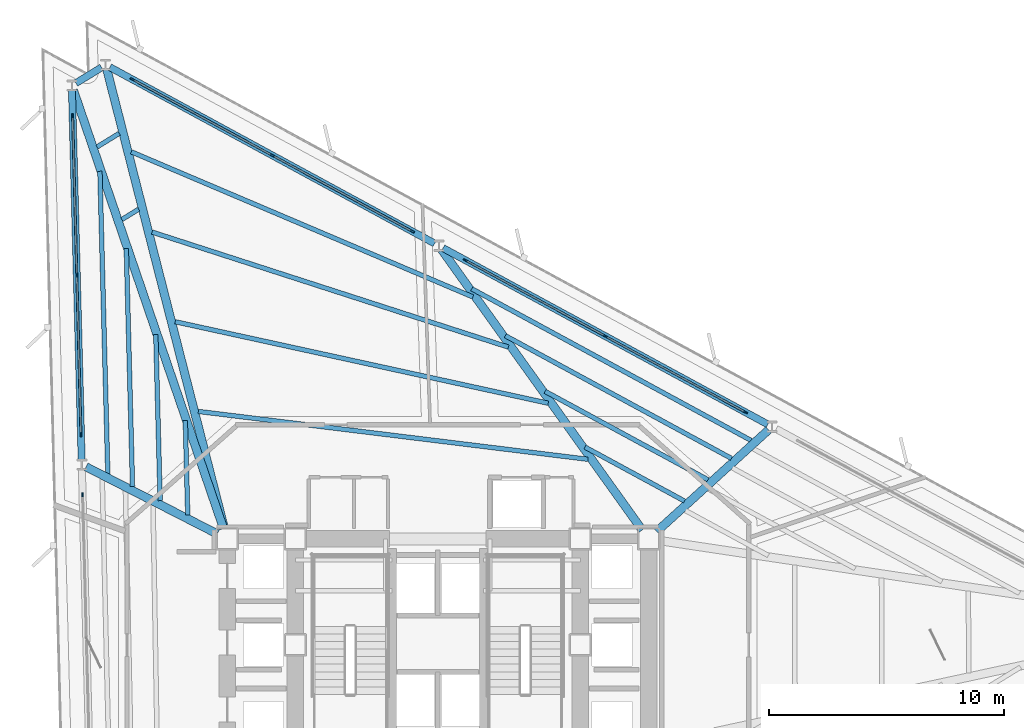
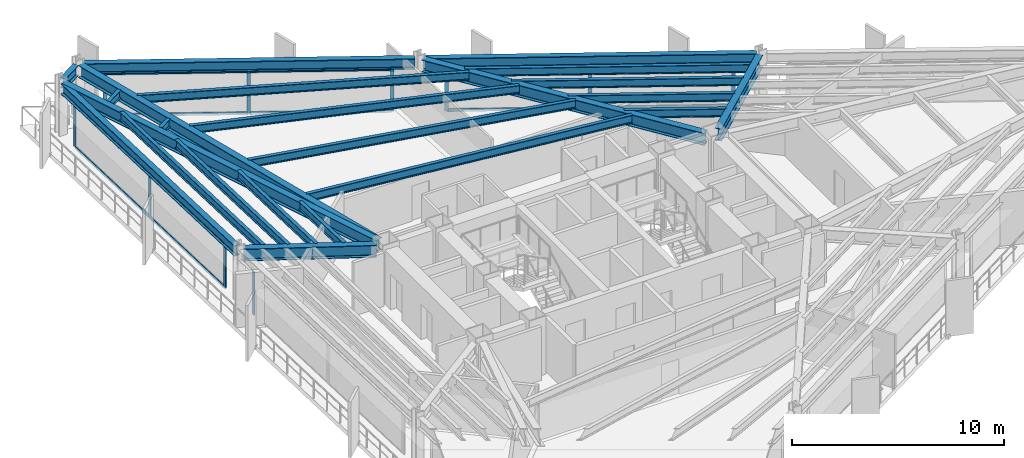
# One storey, part 5 of 14: 23 beams, 22 members, 4 elements without a shape of their own.
"""IFC4 building model written with IfcOpenShell, lengths in metres."""

import ifcopenshell
import ifcopenshell.guid

model = None  # the IFC model being written
_history = None  # IfcOwnerHistory: only IFC2X3 demands one
_inside = {}  # id of a spatial element -> (the spatial element, [elements in it])
_under = {}  # id of a project, library or spatial element -> (it, [spatial elements below it])
_declared = {}  # id of a project -> (the project, [libraries it declares])
_typed = {}  # id of a type object -> (the type object, [elements of that type])
_made_of = {}  # id of a material, layer set ... -> (it, [elements and type objects made of it])


def new_model(schema):
    """Start an empty IFC model of exactly this schema.

    Asked for "IFC4X3", IfcOpenShell would pick the latest addendum, in which some entities
    have other attributes; the version numbers below select the first issue.
    IFC2X3 requires an IfcOwnerHistory on every rooted entity: one is made here for all.
    """
    global model, _history
    if schema == "IFC4X3":
        model = ifcopenshell.file(schema_version=(4, 3, 0, 0))
    else:
        model = ifcopenshell.file(schema=schema)
    _inside.clear()
    _under.clear()
    _declared.clear()
    _typed.clear()
    _made_of.clear()
    _history = None
    if model.schema == "IFC2X3":
        org = make("IfcOrganization", Name="unknown")
        user = make(
            "IfcPersonAndOrganization",
            ThePerson=make("IfcPerson", FamilyName="unknown"),
            TheOrganization=org,
        )
        app = make(
            "IfcApplication",
            ApplicationDeveloper=org,
            Version="unknown",
            ApplicationFullName="unknown",
            ApplicationIdentifier="unknown",
        )
        _history = make(
            "IfcOwnerHistory",
            OwningUser=user,
            OwningApplication=app,
            ChangeAction="ADDED",
            CreationDate=0,
        )
    return model


def make(cls, **values):
    """One entity of the class cls with the attributes given. An attribute that is None is left unset."""
    return model.create_entity(
        cls, **{name: value for name, value in values.items() if value is not None}
    )


def rooted(cls, **values):
    """An entity with a GlobalId (a new one), such as an element, a storey or a relation."""
    return make(cls, GlobalId=ifcopenshell.guid.new(), OwnerHistory=_history, **values)


def si_unit(unit_type, name, prefix=None):
    """IfcSIUnit, for example si_unit("LENGTHUNIT", "METRE", prefix="MILLI")."""
    return make("IfcSIUnit", UnitType=unit_type, Prefix=prefix, Name=name)


def assignment(units):
    """IfcUnitAssignment: the units of a project."""
    return None if units is None else make("IfcUnitAssignment", Units=units)


def point(xyz):
    """IfcCartesianPoint."""
    return None if xyz is None else make("IfcCartesianPoint", Coordinates=xyz)


def direction(xyz):
    """IfcDirection."""
    return None if xyz is None else make("IfcDirection", DirectionRatios=xyz)


def frame(location, z_axis=None, x_axis=None):
    """IfcAxis2Placement3D, a coordinate frame: its origin and axes. An axis left out is left unset."""
    return make(
        "IfcAxis2Placement3D",
        Location=point(location),
        Axis=direction(z_axis),
        RefDirection=direction(x_axis),
    )


def frame_2d(location, x_axis=None):
    """IfcAxis2Placement2D, a coordinate frame in the plane: its origin and x axis."""
    return make(
        "IfcAxis2Placement2D", Location=point(location), RefDirection=direction(x_axis)
    )


def origin():
    """The frame at (0, 0, 0) with its axes left unset."""
    return frame((0.0, 0.0, 0.0))


def origin_2d():
    """The frame at (0, 0) in the plane with its x axis left unset."""
    return frame_2d((0.0, 0.0))


def place(relative_to, where):
    """IfcLocalPlacement: puts the frame where relative to a parent placement (None: the world)."""
    return make(
        "IfcLocalPlacement", PlacementRelTo=relative_to, RelativePlacement=where
    )


def context(
    kind, dimensions, precision=None, world=None, true_north=None, identifier=None
):
    """IfcGeometricRepresentationContext, for example the 3D "Model" context."""
    return make(
        "IfcGeometricRepresentationContext",
        ContextIdentifier=identifier,
        ContextType=kind,
        CoordinateSpaceDimension=dimensions,
        Precision=precision,
        WorldCoordinateSystem=world,
        TrueNorth=true_north,
    )


def subcontext(parent, identifier, kind, view, scale=None):
    """IfcGeometricRepresentationSubContext, for example "Body" below "Model"."""
    return make(
        "IfcGeometricRepresentationSubContext",
        ContextIdentifier=identifier,
        ContextType=kind,
        ParentContext=parent,
        TargetScale=scale,
        TargetView=view,
    )


def project(units=None, contexts=None):
    """IfcProject with its units and contexts."""
    return rooted(
        "IfcProject",
        Name="project",
        RepresentationContexts=contexts,
        UnitsInContext=assignment(units),
    )


def spatial(cls, under=None, at=None, **own):
    """A site, building, storey or space (cls), placed at a placement, below another one or the project."""
    s = rooted(cls, ObjectPlacement=at, **own)
    if under is not None:
        _under.setdefault(under.id(), (under, []))[1].append(s)
    return s


def profile(cls, at=None, kind="AREA", **sizes):
    """A parametric profile (cls). Its sizes go by their IFC names, for example OverallWidth=200.0."""
    return make(cls, ProfileType=kind, Position=at, **sizes)


def rectangle(**sizes):
    """IfcRectangleProfileDef."""
    return profile("IfcRectangleProfileDef", **sizes)


def i_section(**sizes):
    """IfcIShapeProfileDef."""
    return profile("IfcIShapeProfileDef", **sizes)


def extrude(swept, where, along, depth):
    """IfcExtrudedAreaSolid: the profile swept, set in the frame where, extruded along a direction by depth."""
    return make(
        "IfcExtrudedAreaSolid",
        SweptArea=swept,
        Position=where,
        ExtrudedDirection=direction(along),
        Depth=depth,
    )


def shape(context_of_items, identifier, shape_type, items):
    """IfcShapeRepresentation: the items that make up one representation, for example the "Body"."""
    return make(
        "IfcShapeRepresentation",
        ContextOfItems=context_of_items,
        RepresentationIdentifier=identifier,
        RepresentationType=shape_type,
        Items=items,
    )


def material(Name=None, Category=None):
    """IfcMaterial."""
    return make("IfcMaterial", Name=Name, Category=Category)


def layer(
    of_material, thickness, ventilated=None, Name=None, Category=None, Priority=None
):
    """IfcMaterialLayer: one layer of a wall or slab, of a material (None: an air gap)."""
    return make(
        "IfcMaterialLayer",
        Material=of_material,
        LayerThickness=thickness,
        IsVentilated=ventilated,
        Name=Name,
        Category=Category,
        Priority=Priority,
    )


def layer_set(layers, Name=None):
    """IfcMaterialLayerSet."""
    return make("IfcMaterialLayerSet", MaterialLayers=layers, LayerSetName=Name)


def material_profile(
    of_material, cross_section, Name=None, Category=None, Priority=None
):
    """IfcMaterialProfile: a cross section and its material."""
    return make(
        "IfcMaterialProfile",
        Name=Name,
        Material=of_material,
        Profile=cross_section,
        Priority=Priority,
        Category=Category,
    )


def profile_set(profiles, Name=None, composite=None):
    """IfcMaterialProfileSet."""
    return make(
        "IfcMaterialProfileSet",
        Name=Name,
        MaterialProfiles=profiles,
        CompositeProfile=composite,
    )


def made_of(thing, what):
    """Note that an element or type object is made of a material, layer set ...; save() writes the relation."""
    if what is not None:
        _made_of.setdefault(what.id(), (what, []))[1].append(thing)
    return thing


def type_object(cls, material=None, **own):
    """A type object (cls), such as IfcWallType, which elements share."""
    return made_of(rooted(cls, **own), material)


def element(
    cls,
    number,
    at=None,
    inside=None,
    cuts=None,
    type_object=None,
    material=None,
    context=None,
    identifier="Body",
    shape_type=None,
    held_by="IfcProductDefinitionShape",
    body=None,
    shapes=None,
    **own,
):
    """One element of the class cls, such as IfcWall. Its Tag is "e" and its number.

    at: its placement. inside: the storey or other place that contains it. cuts: it is an
    opening in that element (IfcRelVoidsElement). A single representation is given by context,
    identifier, shape_type and body (its items); several are given by shapes. held_by: the class
    of the entity that holds the representations. save() writes the other relations.
    """
    e = rooted(cls, Tag="e%d" % number, ObjectPlacement=at, **own)
    if body is not None:
        shapes = [shape(context, identifier, shape_type, body)]
    if shapes is not None:
        e.Representation = make(held_by, Representations=shapes)
    if inside is not None:
        _inside.setdefault(inside.id(), (inside, []))[1].append(e)
    if cuts is not None:
        rooted(
            "IfcRelVoidsElement", RelatingBuildingElement=cuts, RelatedOpeningElement=e
        )
    if type_object is not None:
        _typed.setdefault(type_object.id(), (type_object, []))[1].append(e)
    return made_of(e, material)


def aggregate(whole, parts):
    """IfcRelAggregates: a whole, such as a stair, and the parts it consists of."""
    return rooted("IfcRelAggregates", RelatingObject=whole, RelatedObjects=parts)


def save(model, path):
    """Write the relations noted so far, then the file.

    IfcRelAggregates (storeys below a building ...), IfcRelContainedInSpatialStructure (elements
    in a storey), IfcRelDefinesByType, IfcRelAssociatesMaterial and IfcRelDeclares: one each for
    every whole, place, type object, material and project.
    """
    for whole, parts in _under.values():
        aggregate(whole, parts)
    for where, things in _inside.values():
        rooted(
            "IfcRelContainedInSpatialStructure",
            RelatedElements=things,
            RelatingStructure=where,
        )
    for kind, things in _typed.values():
        rooted("IfcRelDefinesByType", RelatedObjects=things, RelatingType=kind)
    for what, things in _made_of.values():
        rooted("IfcRelAssociatesMaterial", RelatedObjects=things, RelatingMaterial=what)
    for by, libraries in _declared.values():
        rooted("IfcRelDeclares", RelatingContext=by, RelatedDefinitions=libraries)
    model.write(path)


model = new_model("IFC4")

# Units and contexts
model_context = context("Model", 3, precision=1e-05, world=origin(), true_north=direction((0.0, 1.0)))
body_context = subcontext(model_context, "Body", "Model", "MODEL_VIEW")
ifc_project = project(units=[si_unit("LENGTHUNIT", "METRE"), si_unit("AREAUNIT", "SQUARE_METRE"), si_unit("VOLUMEUNIT", "CUBIC_METRE"), si_unit("PLANEANGLEUNIT", "RADIAN"), si_unit("MASSUNIT", "GRAM", prefix="KILO")], contexts=[model_context])

# Site, building, storey
site_placement = place(None, origin())
site = spatial("IfcSite", under=ifc_project, at=site_placement, CompositionType="ELEMENT")
building_placement = place(site_placement, origin())
building = spatial("IfcBuilding", under=site, at=building_placement, Name="Rocaltana Carrier Exchange", CompositionType="ELEMENT")
storey_placement = place(building_placement, frame((0.0, 0.0, 39.0400390625)))
storey = spatial("IfcBuildingStorey", under=building, at=storey_placement, Name="L12", CompositionType="ELEMENT", Elevation=39.0400390625)

# Curtain wall, members
ifc_material_1 = material(Name="Aluminium 6063-T6", Category="aluminium")
ifc_layer = layer(ifc_material_1, 0.179931640625)
ifc_layer_set = layer_set([ifc_layer], Name="Aluminium 6063-T6")
curtain_wall_type = type_object("IfcCurtainWallType", Name="Sandstone Spandrel Unitised Curtain Wall CW-01", PredefinedType="NOTDEFINED", material=ifc_layer_set)
curtain_wall_1_placement = place(storey_placement, origin())
curtain_wall_1 = element("IfcCurtainWall", 1, at=curtain_wall_1_placement, inside=storey, type_object=curtain_wall_type, Name="L12 CW-01 Run CW-L12-F1S2", PredefinedType="NOTDEFINED")
ifc_material_2 = material(Name="Aluminium 6063-T6", Category="aluminium")
ifc_material_profile_1 = material_profile(ifc_material_2, rectangle(XDim=0.06494140625, YDim=0.179931640625, at=origin_2d()), Name="AL-65X180")
ifc_profile_set_1 = profile_set([ifc_material_profile_1], Name="Aluminium 6063-T6")
member_type_1 = type_object("IfcMemberType", Name="CW-01 Mullion AL-65X180", PredefinedType="MULLION", material=ifc_profile_set_1)
member_1_placement = place(storey_placement, frame((13.064697265625, 9.87890625, 0.0), z_axis=(0.0, 0.0, 1.0), x_axis=(-0.477164068636, -0.878814230428, 0.0)))
member_1 = element("IfcMember", 2, at=member_1_placement, type_object=member_type_1, Name="CW-01 mullion 1", PredefinedType="MULLION", context=body_context, shape_type="SweptSolid", body=[
    extrude(rectangle(XDim=0.06494140625, YDim=0.179931640625, at=origin_2d()), origin(), (0.0, 0.0, 1.0), 2.47802734375),
])
member_2_placement = place(storey_placement, frame((7.1171875, 13.108154296875, 0.0), z_axis=(0.0, 0.0, 1.0), x_axis=(-0.477164068636, -0.878814230428, 0.0)))
member_2 = element("IfcMember", 3, at=member_2_placement, type_object=member_type_1, Name="CW-01 mullion 2", PredefinedType="MULLION", context=body_context, shape_type="SweptSolid", body=[
    extrude(rectangle(XDim=0.06494140625, YDim=0.179931640625, at=origin_2d()), origin(), (0.0, 0.0, 1.0), 2.47802734375),
])
member_3_placement = place(storey_placement, frame((1.169677734375, 16.33740234375, 0.0), z_axis=(0.0, 0.0, 1.0), x_axis=(-0.477164068636, -0.878814230428, 0.0)))
member_3 = element("IfcMember", 4, at=member_3_placement, type_object=member_type_1, Name="CW-01 mullion 3", PredefinedType="MULLION", context=body_context, shape_type="SweptSolid", body=[
    extrude(rectangle(XDim=0.06494140625, YDim=0.179931640625, at=origin_2d()), origin(), (0.0, 0.0, 1.0), 2.47802734375),
])

curtain_wall_2_placement = place(storey_placement, origin())
curtain_wall_2 = element("IfcCurtainWall", 5, at=curtain_wall_2_placement, inside=storey, type_object=curtain_wall_type, Name="L12 CW-01 Run CW-L12-F1S3", PredefinedType="NOTDEFINED")
member_4_placement = place(storey_placement, frame((-1.08447265625, 17.5615234375, 0.0), z_axis=(0.0, 0.0, 1.0), x_axis=(-0.477155794406, -0.878818722982, 0.0)))
member_4 = element("IfcMember", 6, at=member_4_placement, type_object=member_type_1, Name="CW-01 mullion 1", PredefinedType="MULLION", context=body_context, shape_type="SweptSolid", body=[
    extrude(rectangle(XDim=0.06494140625, YDim=0.179931640625, at=origin_2d()), origin(), (0.0, 0.0, 1.0), 2.47802734375),
])
member_5_placement = place(storey_placement, frame((-7.03173828125, 20.79052734375, 0.0), z_axis=(0.0, 0.0, 1.0), x_axis=(-0.477155794406, -0.878818722982, 0.0)))
member_5 = element("IfcMember", 7, at=member_5_placement, type_object=member_type_1, Name="CW-01 mullion 2", PredefinedType="MULLION", context=body_context, shape_type="SweptSolid", body=[
    extrude(rectangle(XDim=0.06494140625, YDim=0.179931640625, at=origin_2d()), origin(), (0.0, 0.0, 1.0), 2.47802734375),
])
member_6_placement = place(storey_placement, frame((-12.979248046875, 24.019775390625, 0.0), z_axis=(0.0, 0.0, 1.0), x_axis=(-0.477155794406, -0.878818722982, 0.0)))
member_6 = element("IfcMember", 8, at=member_6_placement, type_object=member_type_1, Name="CW-01 mullion 3", PredefinedType="MULLION", context=body_context, shape_type="SweptSolid", body=[
    extrude(rectangle(XDim=0.06494140625, YDim=0.179931640625, at=origin_2d()), origin(), (0.0, 0.0, 1.0), 2.47802734375),
])

curtain_wall_3_placement = place(storey_placement, origin())
curtain_wall_3 = element("IfcCurtainWall", 9, at=curtain_wall_3_placement, inside=storey, type_object=curtain_wall_type, Name="L12 CW-01 Run CW-L12-F2S1", PredefinedType="NOTDEFINED")
member_7_placement = place(storey_placement, frame((-15.50927734375, 22.46923828125, 0.0), z_axis=(0.0, 0.0, 1.0), x_axis=(0.999657143044, 0.026183895077, 0.0)))
member_7 = element("IfcMember", 10, at=member_7_placement, type_object=member_type_1, Name="CW-01 mullion 1", PredefinedType="MULLION", context=body_context, shape_type="SweptSolid", body=[
    extrude(rectangle(XDim=0.06494140625, YDim=0.179931640625, at=origin_2d()), origin(), (0.0, 0.0, 1.0), 2.47802734375),
])
member_8_placement = place(storey_placement, frame((-15.33203125, 15.7041015625, 0.0), z_axis=(0.0, 0.0, 1.0), x_axis=(0.999657143044, 0.026183895077, 0.0)))
member_8 = element("IfcMember", 11, at=member_8_placement, type_object=member_type_1, Name="CW-01 mullion 2", PredefinedType="MULLION", context=body_context, shape_type="SweptSolid", body=[
    extrude(rectangle(XDim=0.06494140625, YDim=0.179931640625, at=origin_2d()), origin(), (0.0, 0.0, 1.0), 2.47802734375),
])
member_9_placement = place(storey_placement, frame((-15.155029296875, 8.93896484375, 0.0), z_axis=(0.0, 0.0, 1.0), x_axis=(0.999657143044, 0.026183895077, 0.0)))
member_9 = element("IfcMember", 12, at=member_9_placement, type_object=member_type_1, Name="CW-01 mullion 3", PredefinedType="MULLION", context=body_context, shape_type="SweptSolid", body=[
    extrude(rectangle(XDim=0.06494140625, YDim=0.179931640625, at=origin_2d()), origin(), (0.0, 0.0, 1.0), 2.47802734375),
])

# Curtain wall, member
curtain_wall_4_placement = place(storey_placement, origin())
curtain_wall_4 = element("IfcCurtainWall", 13, at=curtain_wall_4_placement, inside=storey, type_object=curtain_wall_type, Name="L12 CW-01 Run CW-L12-F2S2", PredefinedType="NOTDEFINED")
member_10_placement = place(storey_placement, frame((-15.087890625, 6.374755859375, 0.0), z_axis=(0.0, 0.0, 1.0), x_axis=(0.99965733548, 0.026176547142, 0.0)))
member_10 = element("IfcMember", 14, at=member_10_placement, type_object=member_type_1, Name="CW-01 mullion 1", PredefinedType="MULLION", context=body_context, shape_type="SweptSolid", body=[
    extrude(rectangle(XDim=0.06494140625, YDim=0.179931640625, at=origin_2d()), origin(), (0.0, 0.0, 1.0), 2.47802734375),
])
aggregate(curtain_wall_4, [member_10])

# Member
ifc_material_3 = material(Name="Aluminium 6063-T6", Category="aluminium")
ifc_material_profile_2 = material_profile(ifc_material_3, rectangle(XDim=0.06494140625, YDim=0.179931640625, at=origin_2d()), Name="AL-65X180")
ifc_profile_set_2 = profile_set([ifc_material_profile_2], Name="Aluminium 6063-T6")
member_type_2 = type_object("IfcMemberType", Name="CW-01 Transom AL-65X180", PredefinedType="USERDEFINED", material=ifc_profile_set_2)
member_11_placement = place(storey_placement, frame((13.0361328125, 9.89453125, 0.032470703125), z_axis=(-0.878815465576, 0.477161793802, 0.0), x_axis=(-0.477161793802, -0.878815465576, 0.0)))
member_11 = element("IfcMember", 15, at=member_11_placement, type_object=member_type_2, Name="CW-01 transom 1.1", ObjectType="TRANSOM", PredefinedType="USERDEFINED", context=body_context, shape_type="SweptSolid", body=[
    extrude(rectangle(XDim=0.06494140625, YDim=0.179931640625, at=origin_2d()), origin(), (0.0, 0.0, 1.0), 6.70263671875),
])

member_12_placement = place(storey_placement, frame((13.0361328125, 9.89453125, 2.445556640625), z_axis=(-0.878815465576, 0.477161793802, 0.0), x_axis=(-0.477161793802, -0.878815465576, 0.0)))
member_12 = element("IfcMember", 16, at=member_12_placement, type_object=member_type_2, Name="CW-01 transom 1.2", ObjectType="TRANSOM", PredefinedType="USERDEFINED", context=body_context, shape_type="SweptSolid", body=[
    extrude(rectangle(XDim=0.06494140625, YDim=0.179931640625, at=origin_2d()), origin(), (0.0, 0.0, 1.0), 6.70263671875),
])

member_13_placement = place(storey_placement, frame((7.088623046875, 13.123779296875, 0.032470703125), z_axis=(-0.878815465576, 0.477161793802, 0.0), x_axis=(-0.477161793802, -0.878815465576, 0.0)))
member_13 = element("IfcMember", 17, at=member_13_placement, type_object=member_type_2, Name="CW-01 transom 2.1", ObjectType="TRANSOM", PredefinedType="USERDEFINED", context=body_context, shape_type="SweptSolid", body=[
    extrude(rectangle(XDim=0.06494140625, YDim=0.179931640625, at=origin_2d()), origin(), (0.0, 0.0, 1.0), 6.70263671875),
])

member_14_placement = place(storey_placement, frame((7.088623046875, 13.123779296875, 2.445556640625), z_axis=(-0.878815465576, 0.477161793802, 0.0), x_axis=(-0.477161793802, -0.878815465576, 0.0)))
member_14 = element("IfcMember", 18, at=member_14_placement, type_object=member_type_2, Name="CW-01 transom 2.2", ObjectType="TRANSOM", PredefinedType="USERDEFINED", context=body_context, shape_type="SweptSolid", body=[
    extrude(rectangle(XDim=0.06494140625, YDim=0.179931640625, at=origin_2d()), origin(), (0.0, 0.0, 1.0), 6.70263671875),
])

aggregate(curtain_wall_1, [member_1, member_2, member_3, member_11, member_12, member_13, member_14])

member_15_placement = place(storey_placement, frame((-1.113037109375, 17.576904296875, 0.032470703125), z_axis=(-0.87880717191, 0.477177068392, 0.0), x_axis=(-0.477177068392, -0.87880717191, 0.0)))
member_15 = element("IfcMember", 19, at=member_15_placement, type_object=member_type_2, Name="CW-01 transom 1.1", ObjectType="TRANSOM", PredefinedType="USERDEFINED", context=body_context, shape_type="SweptSolid", body=[
    extrude(rectangle(XDim=0.06494140625, YDim=0.179931640625, at=origin_2d()), origin(), (0.0, 0.0, 1.0), 6.702392578125),
])

member_16_placement = place(storey_placement, frame((-1.113037109375, 17.576904296875, 2.445556640625), z_axis=(-0.87880717191, 0.477177068392, 0.0), x_axis=(-0.477177068392, -0.87880717191, 0.0)))
member_16 = element("IfcMember", 20, at=member_16_placement, type_object=member_type_2, Name="CW-01 transom 1.2", ObjectType="TRANSOM", PredefinedType="USERDEFINED", context=body_context, shape_type="SweptSolid", body=[
    extrude(rectangle(XDim=0.06494140625, YDim=0.179931640625, at=origin_2d()), origin(), (0.0, 0.0, 1.0), 6.702392578125),
])

member_17_placement = place(storey_placement, frame((-7.060302734375, 20.80615234375, 0.032470703125), z_axis=(-0.878830739565, 0.477133661772, 0.0), x_axis=(-0.477133661772, -0.878830739565, 0.0)))
member_17 = element("IfcMember", 21, at=member_17_placement, type_object=member_type_2, Name="CW-01 transom 2.1", ObjectType="TRANSOM", PredefinedType="USERDEFINED", context=body_context, shape_type="SweptSolid", body=[
    extrude(rectangle(XDim=0.06494140625, YDim=0.179931640625, at=origin_2d()), origin(), (0.0, 0.0, 1.0), 6.70263671875),
])

member_18_placement = place(storey_placement, frame((-7.060302734375, 20.80615234375, 2.445556640625), z_axis=(-0.878830739565, 0.477133661772, 0.0), x_axis=(-0.477133661772, -0.878830739565, 0.0)))
member_18 = element("IfcMember", 22, at=member_18_placement, type_object=member_type_2, Name="CW-01 transom 2.2", ObjectType="TRANSOM", PredefinedType="USERDEFINED", context=body_context, shape_type="SweptSolid", body=[
    extrude(rectangle(XDim=0.06494140625, YDim=0.179931640625, at=origin_2d()), origin(), (0.0, 0.0, 1.0), 6.70263671875),
])

aggregate(curtain_wall_2, [member_4, member_5, member_6, member_15, member_16, member_17, member_18])

member_19_placement = place(storey_placement, frame((-15.508544921875, 22.436767578125, 0.032470703125), z_axis=(0.026189818331, -0.999656987879, 0.0), x_axis=(0.999656987879, 0.026189818331, 0.0)))
member_19 = element("IfcMember", 23, at=member_19_placement, type_object=member_type_2, Name="CW-01 transom 1.1", ObjectType="TRANSOM", PredefinedType="USERDEFINED", context=body_context, shape_type="SweptSolid", body=[
    extrude(rectangle(XDim=0.06494140625, YDim=0.179931640625, at=origin_2d()), origin(), (0.0, 0.0, 1.0), 6.702392578125),
])

member_20_placement = place(storey_placement, frame((-15.508544921875, 22.436767578125, 2.445556640625), z_axis=(0.026189818331, -0.999656987879, 0.0), x_axis=(0.999656987879, 0.026189818331, 0.0)))
member_20 = element("IfcMember", 24, at=member_20_placement, type_object=member_type_2, Name="CW-01 transom 1.2", ObjectType="TRANSOM", PredefinedType="USERDEFINED", context=body_context, shape_type="SweptSolid", body=[
    extrude(rectangle(XDim=0.06494140625, YDim=0.179931640625, at=origin_2d()), origin(), (0.0, 0.0, 1.0), 6.702392578125),
])

member_21_placement = place(storey_placement, frame((-15.331298828125, 15.671630859375, 0.032470703125), z_axis=(0.026189818331, -0.999656987879, 0.0), x_axis=(0.999656987879, 0.026189818331, 0.0)))
member_21 = element("IfcMember", 25, at=member_21_placement, type_object=member_type_2, Name="CW-01 transom 2.1", ObjectType="TRANSOM", PredefinedType="USERDEFINED", context=body_context, shape_type="SweptSolid", body=[
    extrude(rectangle(XDim=0.06494140625, YDim=0.179931640625, at=origin_2d()), origin(), (0.0, 0.0, 1.0), 6.702392578125),
])

member_22_placement = place(storey_placement, frame((-15.331298828125, 15.671630859375, 2.445556640625), z_axis=(0.026189818331, -0.999656987879, 0.0), x_axis=(0.999656987879, 0.026189818331, 0.0)))
member_22 = element("IfcMember", 26, at=member_22_placement, type_object=member_type_2, Name="CW-01 transom 2.2", ObjectType="TRANSOM", PredefinedType="USERDEFINED", context=body_context, shape_type="SweptSolid", body=[
    extrude(rectangle(XDim=0.06494140625, YDim=0.179931640625, at=origin_2d()), origin(), (0.0, 0.0, 1.0), 6.702392578125),
])

aggregate(curtain_wall_3, [member_7, member_8, member_9, member_19, member_20, member_21, member_22])

# Beams
ifc_material_4 = material(Name="Steel S355", Category="steel")
ifc_material_profile_3 = material_profile(ifc_material_4, i_section(OverallWidth=0.193115234375, OverallDepth=0.466064453125, WebThickness=0.011474609375, FlangeThickness=0.01904296875, FilletRadius=0.013916015625, at=origin_2d()), Name="W18X65")
ifc_profile_set_3 = profile_set([ifc_material_profile_3], Name="Steel S355")
beam_type_1 = type_object("IfcBeamType", Name="Floor Joist W18X65", PredefinedType="JOIST", material=ifc_profile_set_3)
beam_1_placement = place(storey_placement, frame((10.4765625, 6.107421875, 2.864990234375), z_axis=(-0.87880781256, 0.477175888518, 0.0), x_axis=(-0.477175888518, -0.87880781256, 0.0)))
element("IfcBeam", 27, at=beam_1_placement, inside=storey, type_object=beam_type_1, Name="FJ-L12-02-1", PredefinedType="JOIST", context=body_context, shape_type="SweptSolid", body=[
    extrude(i_section(OverallWidth=0.193115234375, OverallDepth=0.466064453125, WebThickness=0.011474609375, FlangeThickness=0.01904296875, FilletRadius=0.013916015625, at=origin_2d()), origin(), (0.0, 0.0, 1.0), 4.808837890625),
])
beam_2_placement = place(storey_placement, frame((11.472412109375, 7.01318359375, 2.864990234375), z_axis=(-0.878817742056, 0.477157601059, 0.0), x_axis=(-0.477157601059, -0.878817742056, 0.0)))
element("IfcBeam", 28, at=beam_2_placement, inside=storey, type_object=beam_type_1, Name="FJ-L12-02-2", PredefinedType="JOIST", context=body_context, shape_type="SweptSolid", body=[
    extrude(i_section(OverallWidth=0.193115234375, OverallDepth=0.466064453125, WebThickness=0.011474609375, FlangeThickness=0.01904296875, FilletRadius=0.013916015625, at=origin_2d()), origin(), (0.0, 0.0, 1.0), 7.86767578125),
])
beam_3_placement = place(storey_placement, frame((12.468505859375, 7.918701171875, 2.864990234375), z_axis=(-0.878813547662, 0.477165326115, 0.0), x_axis=(-0.477165326115, -0.878813547662, 0.0)))
element("IfcBeam", 29, at=beam_3_placement, inside=storey, type_object=beam_type_1, Name="FJ-L12-02-3", PredefinedType="JOIST", context=body_context, shape_type="SweptSolid", body=[
    extrude(i_section(OverallWidth=0.193115234375, OverallDepth=0.466064453125, WebThickness=0.011474609375, FlangeThickness=0.01904296875, FilletRadius=0.013916015625, at=origin_2d()), origin(), (0.0, 0.0, 1.0), 10.92724609375),
])
beam_4_placement = place(storey_placement, frame((13.30712890625, 8.681396484375, 2.864990234375), z_axis=(-0.878808808583, 0.477174054152, 0.0), x_axis=(-0.477174054152, -0.878808808583, 0.0)))
element("IfcBeam", 30, at=beam_4_placement, inside=storey, type_object=beam_type_1, Name="FJ-L12-02-4", PredefinedType="JOIST", context=body_context, shape_type="SweptSolid", body=[
    extrude(i_section(OverallWidth=0.193115234375, OverallDepth=0.466064453125, WebThickness=0.011474609375, FlangeThickness=0.01904296875, FilletRadius=0.013916015625, at=origin_2d()), origin(), (0.0, 0.0, 1.0), 13.503173828125),
])
beam_5_placement = place(storey_placement, frame((6.374755859375, 7.882080078125, 2.864990234375), z_axis=(-0.992538792143, 0.121929266752, 0.0), x_axis=(-0.121929266752, -0.992538792143, 0.0)))
element("IfcBeam", 31, at=beam_5_placement, inside=storey, type_object=beam_type_1, Name="FJ-L12-03-1", PredefinedType="JOIST", context=body_context, shape_type="SweptSolid", body=[
    extrude(i_section(OverallWidth=0.193115234375, OverallDepth=0.466064453125, WebThickness=0.011474609375, FlangeThickness=0.01904296875, FilletRadius=0.013916015625, at=origin_2d()), origin(), (0.0, 0.0, 1.0), 16.671142578125),
])
beam_6_placement = place(storey_placement, frame((4.68505859375, 10.26318359375, 2.864990234375), z_axis=(-0.976950483749, 0.213466044848, 0.0), x_axis=(-0.213466044848, -0.976950483749, 0.0)))
element("IfcBeam", 32, at=beam_6_placement, inside=storey, type_object=beam_type_1, Name="FJ-L12-03-2", PredefinedType="JOIST", context=body_context, shape_type="SweptSolid", body=[
    extrude(i_section(OverallWidth=0.193115234375, OverallDepth=0.466064453125, WebThickness=0.011474609375, FlangeThickness=0.01904296875, FilletRadius=0.013916015625, at=origin_2d()), origin(), (0.0, 0.0, 1.0), 16.213134765625),
])
beam_7_placement = place(storey_placement, frame((2.9970703125, 12.644775390625, 2.864990234375), z_axis=(-0.951601211607, 0.307335539872, 0.0), x_axis=(-0.307335539872, -0.951601211607, 0.0)))
element("IfcBeam", 33, at=beam_7_placement, inside=storey, type_object=beam_type_1, Name="FJ-L12-03-3", PredefinedType="JOIST", context=body_context, shape_type="SweptSolid", body=[
    extrude(i_section(OverallWidth=0.193115234375, OverallDepth=0.466064453125, WebThickness=0.011474609375, FlangeThickness=0.01904296875, FilletRadius=0.013916015625, at=origin_2d()), origin(), (0.0, 0.0, 1.0), 15.905029296875),
])
beam_8_placement = place(storey_placement, frame((1.48828125, 14.775634765625, 2.864990234375), z_axis=(-0.920350290518, 0.391095055891, 0.0), x_axis=(-0.391095055891, -0.920350290518, 0.0)))
element("IfcBeam", 34, at=beam_8_placement, inside=storey, type_object=beam_type_1, Name="FJ-L12-03-4", PredefinedType="JOIST", context=body_context, shape_type="SweptSolid", body=[
    extrude(i_section(OverallWidth=0.193115234375, OverallDepth=0.466064453125, WebThickness=0.011474609375, FlangeThickness=0.01904296875, FilletRadius=0.013916015625, at=origin_2d()), origin(), (0.0, 0.0, 1.0), 15.76416015625),
])
beam_9_placement = place(storey_placement, frame((-12.70556640625, 18.502685546875, 2.864990234375), z_axis=(-0.852508958132, -0.522712613493, 0.0), x_axis=(0.522712613493, -0.852508958132, 0.0)))
element("IfcBeam", 35, at=beam_9_placement, inside=storey, type_object=beam_type_1, Name="FJ-L12-04-3", PredefinedType="JOIST", context=body_context, shape_type="SweptSolid", body=[
    extrude(i_section(OverallWidth=0.193115234375, OverallDepth=0.466064453125, WebThickness=0.011474609375, FlangeThickness=0.01904296875, FilletRadius=0.013916015625, at=origin_2d()), origin(), (0.0, 0.0, 1.0), 0.83642578125),
])
beam_10_placement = place(storey_placement, frame((-13.530517578125, 21.7236328125, 2.864990234375), z_axis=(-0.852664692341, -0.52245853657, 0.0), x_axis=(0.52245853657, -0.852664692341, 0.0)))
element("IfcBeam", 36, at=beam_10_placement, inside=storey, type_object=beam_type_1, Name="FJ-L12-04-4", PredefinedType="JOIST", context=body_context, shape_type="SweptSolid", body=[
    extrude(i_section(OverallWidth=0.193115234375, OverallDepth=0.466064453125, WebThickness=0.011474609375, FlangeThickness=0.01904296875, FilletRadius=0.013916015625, at=origin_2d()), origin(), (0.0, 0.0, 1.0), 1.106201171875),
])
beam_11_placement = place(storey_placement, frame((-10.7255859375, 9.5263671875, 2.864990234375), z_axis=(0.02615756085, -0.999657832466, 0.0), x_axis=(0.999657832466, 0.02615756085, 0.0)))
element("IfcBeam", 37, at=beam_11_placement, inside=storey, type_object=beam_type_1, Name="FJ-L12-05-1", PredefinedType="JOIST", context=body_context, shape_type="SweptSolid", body=[
    extrude(i_section(OverallWidth=0.193115234375, OverallDepth=0.466064453125, WebThickness=0.011474609375, FlangeThickness=0.01904296875, FilletRadius=0.013916015625, at=origin_2d()), origin(), (0.0, 0.0, 1.0), 4.004150390625),
])
beam_12_placement = place(storey_placement, frame((-11.978271484375, 13.18408203125, 2.864990234375), z_axis=(0.026201236861, -0.999656688662, 0.0), x_axis=(0.999656688662, 0.026201236861, 0.0)))
element("IfcBeam", 38, at=beam_12_placement, inside=storey, type_object=beam_type_1, Name="FJ-L12-05-2", PredefinedType="JOIST", context=body_context, shape_type="SweptSolid", body=[
    extrude(i_section(OverallWidth=0.193115234375, OverallDepth=0.466064453125, WebThickness=0.011474609375, FlangeThickness=0.01904296875, FilletRadius=0.013916015625, at=origin_2d()), origin(), (0.0, 0.0, 1.0), 7.06298828125),
])
beam_13_placement = place(storey_placement, frame((-13.23095703125, 16.841796875, 2.864990234375), z_axis=(0.026194410862, -0.99965686755, 0.0), x_axis=(0.99965686755, 0.026194410862, 0.0)))
element("IfcBeam", 39, at=beam_13_placement, inside=storey, type_object=beam_type_1, Name="FJ-L12-05-3", PredefinedType="JOIST", context=body_context, shape_type="SweptSolid", body=[
    extrude(i_section(OverallWidth=0.193115234375, OverallDepth=0.466064453125, WebThickness=0.011474609375, FlangeThickness=0.01904296875, FilletRadius=0.013916015625, at=origin_2d()), origin(), (0.0, 0.0, 1.0), 10.121826171875),
])
beam_14_placement = place(storey_placement, frame((-14.351806640625, 20.114501953125, 2.864990234375), z_axis=(0.026200832731, -0.999656699254, 0.0), x_axis=(0.999656699254, 0.026200832731, 0.0)))
element("IfcBeam", 40, at=beam_14_placement, inside=storey, type_object=beam_type_1, Name="FJ-L12-05-4", PredefinedType="JOIST", context=body_context, shape_type="SweptSolid", body=[
    extrude(i_section(OverallWidth=0.193115234375, OverallDepth=0.466064453125, WebThickness=0.011474609375, FlangeThickness=0.01904296875, FilletRadius=0.013916015625, at=origin_2d()), origin(), (0.0, 0.0, 1.0), 12.85888671875),
])
ifc_material_5 = material(Name="Steel S355", Category="steel")
ifc_material_profile_4 = material_profile(ifc_material_5, i_section(OverallWidth=0.35498046875, OverallDepth=0.695068359375, WebThickness=0.015380859375, FlangeThickness=0.02490234375, FilletRadius=0.01806640625, at=origin_2d()), Name="W27X146")
ifc_profile_set_4 = profile_set([ifc_material_profile_4], Name="Steel S355")
beam_type_2 = type_object("IfcBeamType", Name="Radial Girder W27X146", PredefinedType="BEAM", material=ifc_profile_set_4)
beam_15_placement = place(storey_placement, frame((9.29541015625, 4.814208984375, 2.75048828125), z_axis=(0.739807445463, 0.672818655834, 0.0), x_axis=(-0.672818655834, 0.739807445463, 0.0)))
element("IfcBeam", 41, at=beam_15_placement, inside=storey, type_object=beam_type_2, Name="RG-L12-02", PredefinedType="BEAM", context=body_context, shape_type="SweptSolid", body=[
    extrude(i_section(OverallWidth=0.35498046875, OverallDepth=0.695068359375, WebThickness=0.015380859375, FlangeThickness=0.02490234375, FilletRadius=0.01806640625, at=origin_2d()), origin(), (0.0, 0.0, 1.0), 6.414306640625),
])
beam_16_placement = place(storey_placement, frame((8.67822265625, 4.8798828125, 2.75048828125), z_axis=(-0.581884927031, 0.813271130493, 0.0), x_axis=(-0.813271130493, -0.581884927031, 0.0)))
element("IfcBeam", 42, at=beam_16_placement, inside=storey, type_object=beam_type_2, Name="RG-L12-03", PredefinedType="BEAM", context=body_context, shape_type="SweptSolid", body=[
    extrude(i_section(OverallWidth=0.35498046875, OverallDepth=0.695068359375, WebThickness=0.015380859375, FlangeThickness=0.02490234375, FilletRadius=0.01806640625, at=origin_2d()), origin(), (0.0, 0.0, 1.0), 14.63671875),
])
beam_17_placement = place(storey_placement, frame((-9.06591796875, 4.952392578125, 2.75048828125), z_axis=(-0.248115976649, 0.968730335094, 0.0), x_axis=(-0.968730335094, -0.248115976649, 0.0)))
element("IfcBeam", 43, at=beam_17_placement, inside=storey, type_object=beam_type_2, Name="RG-L12-04", PredefinedType="BEAM", context=body_context, shape_type="SweptSolid", body=[
    extrude(i_section(OverallWidth=0.35498046875, OverallDepth=0.695068359375, WebThickness=0.015380859375, FlangeThickness=0.02490234375, FilletRadius=0.01806640625, at=origin_2d()), origin(), (0.0, 0.0, 1.0), 20.110595703125),
])
beam_18_placement = place(storey_placement, frame((-9.101318359375, 4.94189453125, 2.75048828125), z_axis=(-0.323992518523, 0.946059642909, 0.0), x_axis=(-0.946059642909, -0.323992518523, 0.0)))
element("IfcBeam", 44, at=beam_18_placement, inside=storey, type_object=beam_type_2, Name="RG-L12-05", PredefinedType="BEAM", context=body_context, shape_type="SweptSolid", body=[
    extrude(i_section(OverallWidth=0.35498046875, OverallDepth=0.695068359375, WebThickness=0.015380859375, FlangeThickness=0.02490234375, FilletRadius=0.01806640625, at=origin_2d()), origin(), (0.0, 0.0, 1.0), 19.677978515625),
])
beam_19_placement = place(storey_placement, frame((-9.36572265625, 4.712646484375, 2.75048828125), z_axis=(-0.890279416512, 0.455414712691, 0.0), x_axis=(-0.455414712691, -0.890279416512, 0.0)))
element("IfcBeam", 45, at=beam_19_placement, inside=storey, type_object=beam_type_2, Name="RG-L12-06", PredefinedType="BEAM", context=body_context, shape_type="SweptSolid", body=[
    extrude(i_section(OverallWidth=0.35498046875, OverallDepth=0.695068359375, WebThickness=0.015380859375, FlangeThickness=0.02490234375, FilletRadius=0.01806640625, at=origin_2d()), origin(), (0.0, 0.0, 1.0), 6.260986328125),
])
ifc_material_6 = material(Name="Steel S355", Category="steel")
ifc_material_profile_5 = material_profile(ifc_material_6, i_section(OverallWidth=0.300048828125, OverallDepth=0.60009765625, WebThickness=0.015380859375, FlangeThickness=0.030029296875, FilletRadius=0.027099609375, at=origin_2d()), Name="HEB600")
ifc_profile_set_5 = profile_set([ifc_material_profile_5], Name="Steel S355")
beam_type_3 = type_object("IfcBeamType", Name="Spandrel Edge Beam HEB600", PredefinedType="SPANDREL", material=ifc_profile_set_5)
beam_20_placement = place(storey_placement, frame((14.012451171875, 9.364501953125, 2.7978515625), z_axis=(-0.878819693906, 0.477154006168, 0.0), x_axis=(-0.477154006168, -0.878819693906, 0.0)))
element("IfcBeam", 46, at=beam_20_placement, inside=storey, type_object=beam_type_3, Name="SP-L12-02", PredefinedType="SPANDREL", context=body_context, shape_type="SweptSolid", body=[
    extrude(i_section(OverallWidth=0.300048828125, OverallDepth=0.60009765625, WebThickness=0.015380859375, FlangeThickness=0.030029296875, FilletRadius=0.027099609375, at=origin_2d()), origin(), (0.0, 0.0, 1.0), 15.692138671875),
])
beam_21_placement = place(storey_placement, frame((-0.13671875, 17.046630859375, 2.7978515625), z_axis=(-0.878809627373, 0.47717254619, 0.0), x_axis=(-0.47717254619, -0.878809627373, 0.0)))
element("IfcBeam", 47, at=beam_21_placement, inside=storey, type_object=beam_type_3, Name="SP-L12-03", PredefinedType="SPANDREL", context=body_context, shape_type="SweptSolid", body=[
    extrude(i_section(OverallWidth=0.300048828125, OverallDepth=0.60009765625, WebThickness=0.015380859375, FlangeThickness=0.030029296875, FilletRadius=0.027099609375, at=origin_2d()), origin(), (0.0, 0.0, 1.0), 15.69189453125),
])
beam_22_placement = place(storey_placement, frame((-14.280029296875, 24.525146484375, 2.7978515625), z_axis=(-0.852647958585, -0.522485845474, 0.0), x_axis=(0.522485845474, -0.852647958585, 0.0)))
element("IfcBeam", 48, at=beam_22_placement, inside=storey, type_object=beam_type_3, Name="SP-L12-04", PredefinedType="SPANDREL", context=body_context, shape_type="SweptSolid", body=[
    extrude(i_section(OverallWidth=0.300048828125, OverallDepth=0.60009765625, WebThickness=0.015380859375, FlangeThickness=0.030029296875, FilletRadius=0.027099609375, at=origin_2d()), origin(), (0.0, 0.0, 1.0), 1.277099609375),
])
beam_23_placement = place(storey_placement, frame((-15.53759765625, 23.54736328125, 2.7978515625), z_axis=(0.026184348618, -0.999657131164, 0.0), x_axis=(0.999657131164, 0.026184348618, 0.0)))
element("IfcBeam", 49, at=beam_23_placement, inside=storey, type_object=beam_type_3, Name="SP-L12-05", PredefinedType="SPANDREL", context=body_context, shape_type="SweptSolid", body=[
    extrude(i_section(OverallWidth=0.300048828125, OverallDepth=0.60009765625, WebThickness=0.015380859375, FlangeThickness=0.030029296875, FilletRadius=0.027099609375, at=origin_2d()), origin(), (0.0, 0.0, 1.0), 15.692138671875),
])

save(model, "model.ifc")
